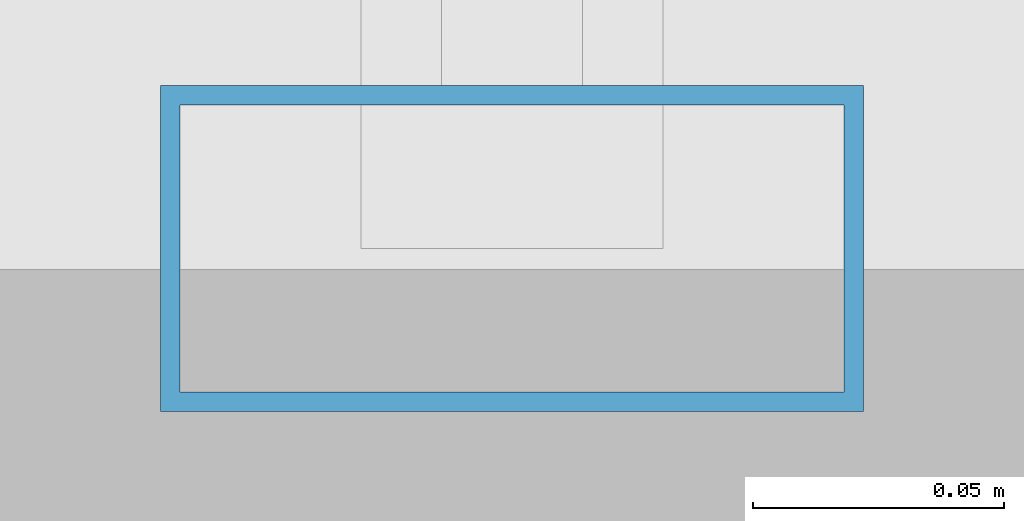
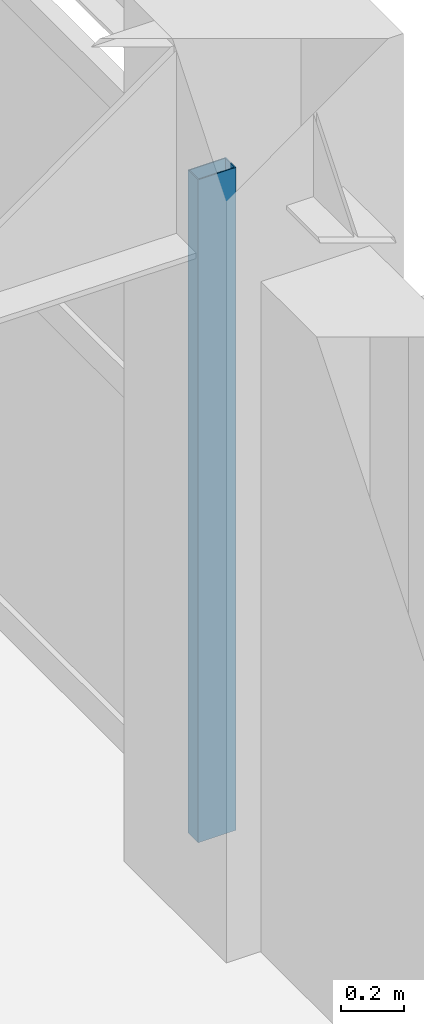
# One storey, part 34 of 93: 1 member, 1 element without a shape of its own.
"""IFC4 building model written with IfcOpenShell, lengths in metres."""

from ifc_helpers import new_model, si_unit, direction, frame, origin, origin_2d, place, context, subcontext, project, spatial, hollow_rectangle, extrude, material, material_profile, profile_set, type_object, element, aggregate, save


model = new_model("IFC4")

# Units and contexts
model_context = context("Model", 3, precision=1e-05, world=origin(), true_north=direction((0.0, 1.0)))
body_context = subcontext(model_context, "Body", "Model", "MODEL_VIEW")
ifc_project = project(units=[si_unit("LENGTHUNIT", "METRE"), si_unit("AREAUNIT", "SQUARE_METRE"), si_unit("VOLUMEUNIT", "CUBIC_METRE"), si_unit("PLANEANGLEUNIT", "RADIAN"), si_unit("MASSUNIT", "GRAM", prefix="KILO")], contexts=[model_context])

# Site, building, storey
site_placement = place(None, origin())
site = spatial("IfcSite", under=ifc_project, at=site_placement, CompositionType="ELEMENT")
building_placement = place(site_placement, origin())
building = spatial("IfcBuilding", under=site, at=building_placement, Name="Cimatlan Art Gallery", CompositionType="ELEMENT")
storey_placement = place(building_placement, frame((0.0, 0.0, 13.800048828125)))
storey = spatial("IfcBuildingStorey", under=building, at=storey_placement, Name="L03", CompositionType="ELEMENT", Elevation=13.800048828125)

# Curtain wall, member
ifc_material_1 = material(Name="Anodised bronze unitised curtain wall")
curtain_wall_type = type_object("IfcCurtainWallType", Name="CW-V-06742X02573-B3", PredefinedType="NOTDEFINED", material=ifc_material_1)
curtain_wall_placement = place(storey_placement, origin())
curtain_wall = element("IfcCurtainWall", 1, at=curtain_wall_placement, inside=storey, type_object=curtain_wall_type, Name="CW-L03-11-05-E", PredefinedType="NOTDEFINED")
ifc_material_2 = material(Name="Anodised bronze aluminium 6063-T6", Category="aluminium")
ifc_material_profile = material_profile(ifc_material_2, hollow_rectangle(XDim=0.06494140625, YDim=0.139892578125, WallThickness=0.00390625, at=origin_2d()), Name="ALU65X140X4")
ifc_profile_set = profile_set([ifc_material_profile], Name="Anodised bronze aluminium 6063-T6")
member_type = type_object("IfcMemberType", Name="CW-MUL-140", PredefinedType="MULLION", material=ifc_profile_set)
member_placement = place(storey_placement, frame((99.199951171875, 39.029052734375, 0.0), z_axis=(0.0, 0.0, 1.0), x_axis=(0.0, 1.0, 0.0)))
member = element("IfcMember", 2, at=member_placement, type_object=member_type, Name="CW-L03-11-05-E-M4", PredefinedType="MULLION", context=body_context, shape_type="SweptSolid", body=[
    extrude(hollow_rectangle(XDim=0.06494140625, YDim=0.139892578125, WallThickness=0.00390625, at=origin_2d()), origin(), (0.0, 0.0, 1.0), 2.572998046875),
])
aggregate(curtain_wall, [member])

save(model, "model.ifc")
